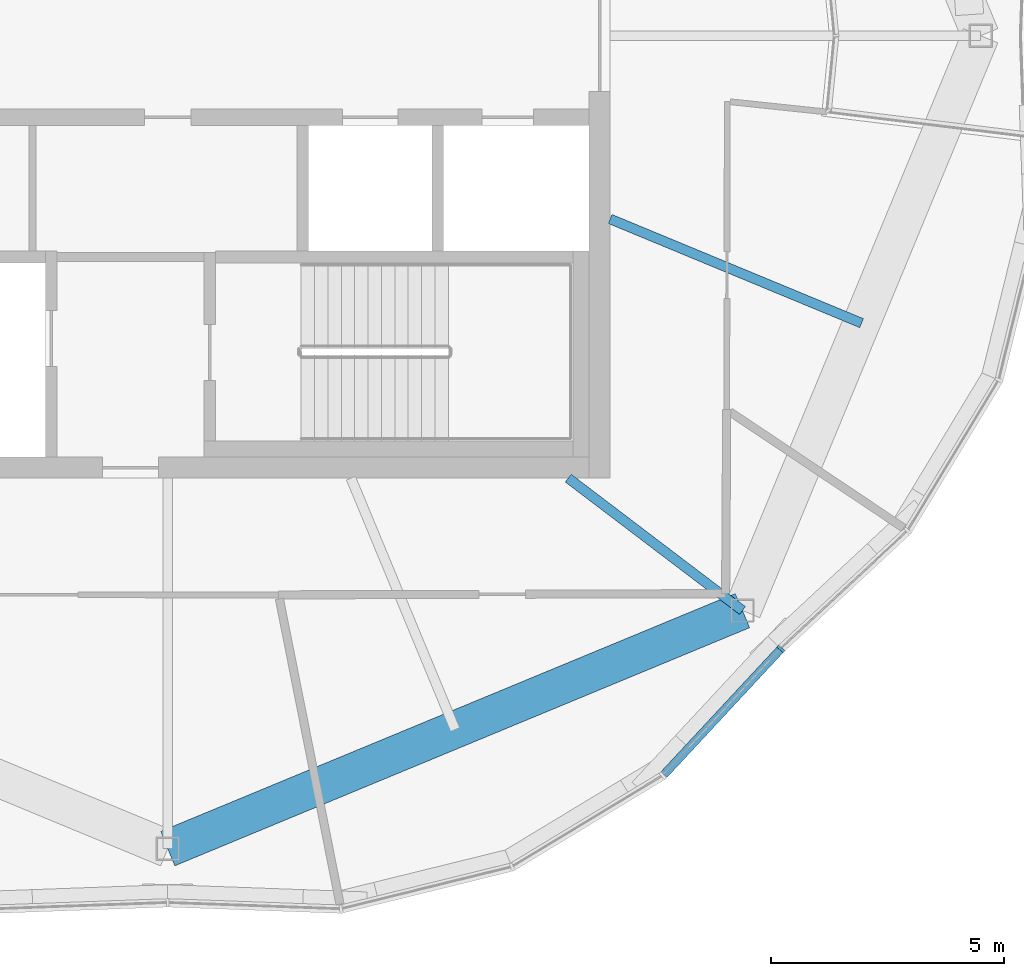
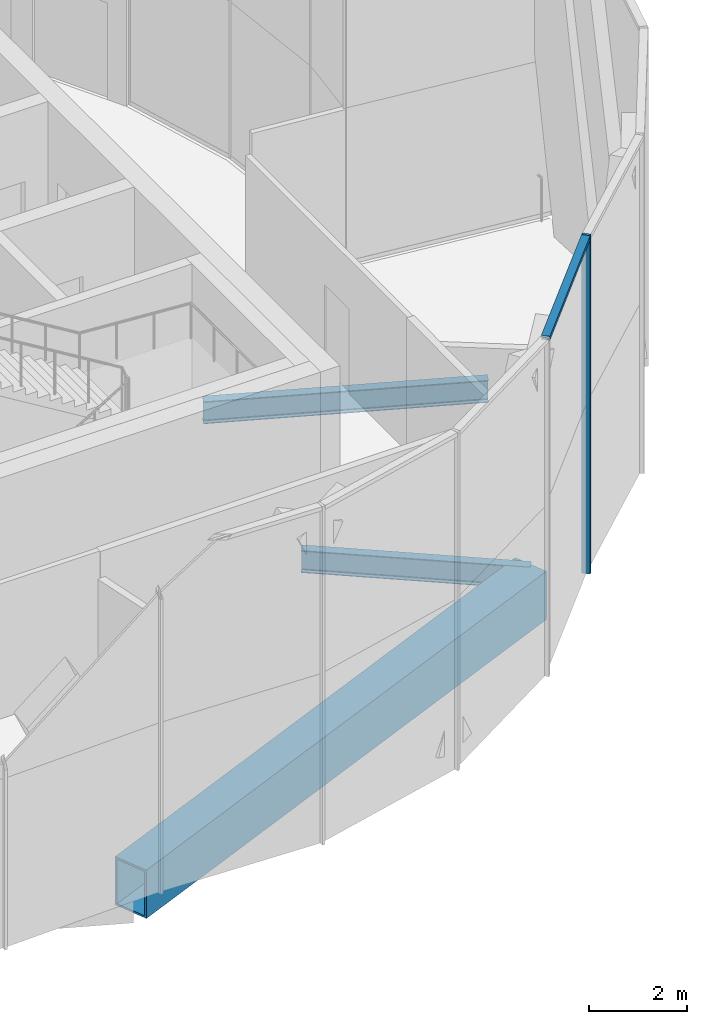
# One storey, part 4 of 24: 3 beams, 2 members, 1 element without a shape of its own.
"""IFC4 building model written with IfcOpenShell, lengths in metres."""

from ifc_helpers import new_model, si_unit, direction, frame, origin, origin_2d, place, context, subcontext, project, spatial, rectangle, hollow_rectangle, i_section, extrude, material, material_profile, profile_set, type_object, element, aggregate, save


model = new_model("IFC4")

# Units and contexts
model_context = context("Model", 3, precision=1e-05, world=origin(), true_north=direction((0.0, 1.0)))
body_context = subcontext(model_context, "Body", "Model", "MODEL_VIEW")
ifc_project = project(units=[si_unit("LENGTHUNIT", "METRE"), si_unit("AREAUNIT", "SQUARE_METRE"), si_unit("VOLUMEUNIT", "CUBIC_METRE"), si_unit("PLANEANGLEUNIT", "RADIAN"), si_unit("MASSUNIT", "GRAM", prefix="KILO")], contexts=[model_context])

# Site, building, storey
site_placement = place(None, origin())
site = spatial("IfcSite", under=ifc_project, at=site_placement, CompositionType="ELEMENT")
building_placement = place(site_placement, origin())
building = spatial("IfcBuilding", under=site, at=building_placement, Name="Ogive Gate Towers", CompositionType="ELEMENT")
storey_placement = place(building_placement, frame((0.0, 0.0, 277.199951171875)))
storey = spatial("IfcBuildingStorey", under=building, at=storey_placement, Name="L65", CompositionType="ELEMENT", Elevation=277.199951171875)

# Beams
ifc_material_1 = material(Name="Steel SM460", Category="steel")
ifc_material_profile_1 = material_profile(ifc_material_1, hollow_rectangle(XDim=0.800048828125, YDim=1.199951171875, WallThickness=0.050048828125, at=origin_2d()), Name="BX 1200x800x50")
ifc_profile_set_1 = profile_set([ifc_material_profile_1], Name="Steel SM460")
beam_type_1 = type_object("IfcBeamType", Name="Edge girder BX 1200x800x50", PredefinedType="BEAM", material=ifc_profile_set_1)
beam_1_placement = place(storey_placement, frame((-36.0, -17.455078125, -0.89990234375), z_axis=(0.923876732551, 0.382690191996, 0.0), x_axis=(-0.382690191996, 0.923876732551, 0.0)))
element("IfcBeam", 1, at=beam_1_placement, inside=storey, type_object=beam_type_1, Name="T1/L65/SBM018", PredefinedType="BEAM", context=body_context, shape_type="SweptSolid", body=[
    extrude(hollow_rectangle(XDim=0.800048828125, YDim=1.199951171875, WallThickness=0.050048828125, at=origin_2d()), origin(), (0.0, 0.0, 1.0), 13.359619140625),
])
ifc_material_2 = material(Name="Steel SM355", Category="steel")
ifc_material_profile_2 = material_profile(ifc_material_2, i_section(OverallWidth=0.2099609375, OverallDepth=0.550048828125, WebThickness=0.010986328125, FlangeThickness=0.01708984375, FilletRadius=0.02392578125, at=origin_2d()), Name="IPE 550")
ifc_profile_set_2 = profile_set([ifc_material_profile_2], Name="Steel SM355")
beam_type_2 = type_object("IfcBeamType", Name="Radial floor beam IPE 550", PredefinedType="BEAM", material=ifc_profile_set_2)
beam_2_placement = place(storey_placement, frame((-27.39990234375, -9.5, -0.574951171875), z_axis=(0.796338347087, -0.604851417257, 0.0), x_axis=(0.604851417257, 0.796338347087, 0.0)))
element("IfcBeam", 2, at=beam_2_placement, inside=storey, type_object=beam_type_2, Name="T1/L65/SBM005", PredefinedType="BEAM", context=body_context, shape_type="SweptSolid", body=[
    extrude(i_section(OverallWidth=0.2099609375, OverallDepth=0.550048828125, WebThickness=0.010986328125, FlangeThickness=0.01708984375, FilletRadius=0.02392578125, at=origin_2d()), origin(), (0.0, 0.0, 1.0), 4.699462890625),
])
beam_3_placement = place(storey_placement, frame((-26.5, -3.93505859375, -0.574951171875), z_axis=(0.923872213225, -0.382701102209, 0.0), x_axis=(0.382701102209, 0.923872213225, 0.0)))
element("IfcBeam", 3, at=beam_3_placement, inside=storey, type_object=beam_type_2, Name="T1/L65/SBM006", PredefinedType="BEAM", context=body_context, shape_type="SweptSolid", body=[
    extrude(i_section(OverallWidth=0.2099609375, OverallDepth=0.550048828125, WebThickness=0.010986328125, FlangeThickness=0.01708984375, FilletRadius=0.02392578125, at=origin_2d()), origin(), (0.0, 0.0, 1.0), 5.843505859375),
])

# Curtain wall, members
ifc_material_3 = material(Name="Pale metal aluminium", Category="aluminium")
curtain_wall_type = type_object("IfcCurtainWallType", Name="Tower unitised wall, high zone", PredefinedType="NOTDEFINED", material=ifc_material_3)
curtain_wall_placement = place(storey_placement, origin())
curtain_wall = element("IfcCurtainWall", 4, at=curtain_wall_placement, inside=storey, type_object=curtain_wall_type, Name="CW2 T1 ECW09", PredefinedType="NOTDEFINED")
ifc_material_profile_3 = material_profile(ifc_material_3, rectangle(XDim=0.179931640625, YDim=0.06005859375, at=origin_2d()), Name="60 x 180 aluminium box")
ifc_profile_set_3 = profile_set([ifc_material_profile_3], Name="Pale metal aluminium")
member_type_1 = type_object("IfcMemberType", Name="Tower unitised wall, high zone mullion 60 x 180", PredefinedType="MULLION", material=ifc_profile_set_3)
member_1_placement = place(storey_placement, frame((-22.83349609375, -13.166015625, -0.300048828125), z_axis=(0.0, 0.0, 1.0), x_axis=(-0.732317122925, 0.680963751951, 0.0)))
member_1 = element("IfcMember", 5, at=member_1_placement, type_object=member_type_1, Name="CW2 mullion", PredefinedType="MULLION", context=body_context, shape_type="SweptSolid", body=[
    extrude(rectangle(XDim=0.179931640625, YDim=0.06005859375, at=origin_2d()), origin(), (0.0, 0.0, 1.0), 8.400146484375),
])
ifc_material_profile_4 = material_profile(ifc_material_3, rectangle(XDim=0.179931640625, YDim=0.10009765625, at=origin_2d()), Name="100 x 180 aluminium box")
ifc_profile_set_4 = profile_set([ifc_material_profile_4], Name="Pale metal aluminium")
member_type_2 = type_object("IfcMemberType", Name="Tower unitised wall, high zone transom 100 x 180", PredefinedType="USERDEFINED", material=ifc_profile_set_4)
member_2_placement = place(storey_placement, frame((-22.853759765625, -13.18798828125, 8.050048828125), z_axis=(-0.680970094206, -0.732311225366, 0.0), x_axis=(0.732311225366, -0.680970094206, 0.0)))
member_2 = element("IfcMember", 6, at=member_2_placement, type_object=member_type_2, Name="CW2 transom", ObjectType="TRANSOM", PredefinedType="USERDEFINED", context=body_context, shape_type="SweptSolid", body=[
    extrude(rectangle(XDim=0.179931640625, YDim=0.10009765625, at=origin_2d()), origin(), (0.0, 0.0, 1.0), 3.66162109375),
])
aggregate(curtain_wall, [member_1, member_2])

save(model, "model.ifc")
